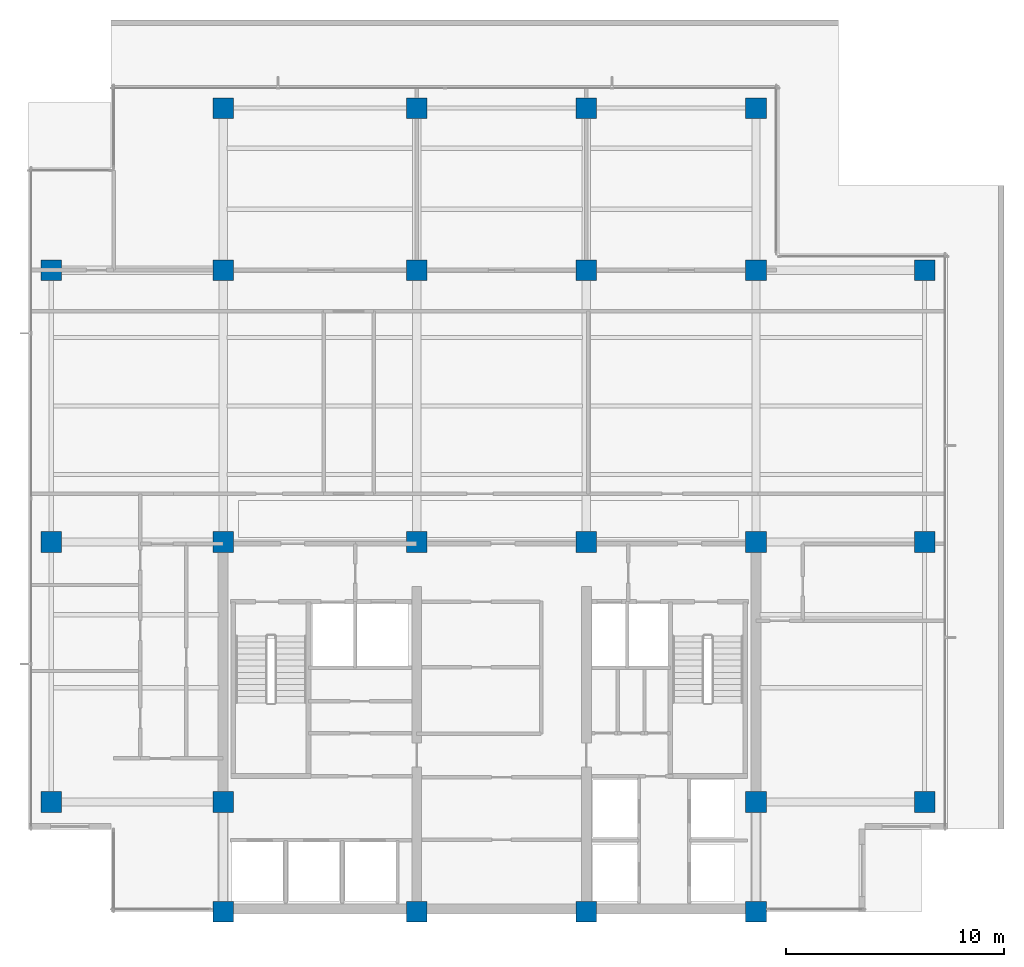
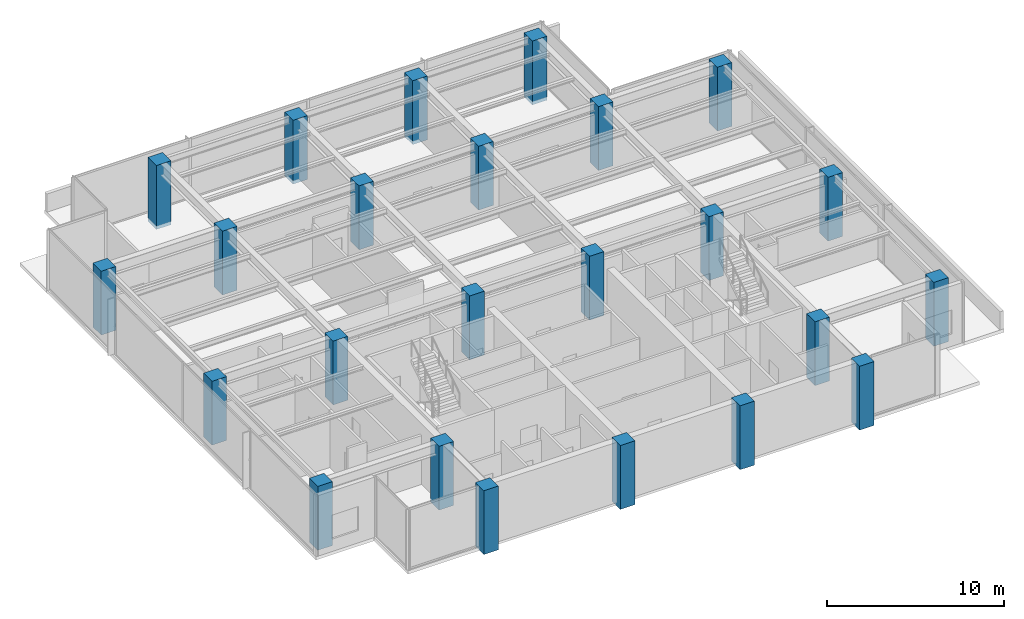
# One storey, part 1 of 14: 24 columns.
"""IFC4 building model written with IfcOpenShell, lengths in metres."""

from ifc_helpers import new_model, si_unit, direction, frame, origin, origin_2d, place, context, subcontext, project, spatial, rectangle, extrude, material, material_profile, profile_set, type_object, element, save


model = new_model("IFC4")

# Units and contexts
model_context = context("Model", 3, precision=1e-05, world=origin(), true_north=direction((0.0, 1.0)))
body_context = subcontext(model_context, "Body", "Model", "MODEL_VIEW")
ifc_project = project(units=[si_unit("LENGTHUNIT", "METRE"), si_unit("AREAUNIT", "SQUARE_METRE"), si_unit("VOLUMEUNIT", "CUBIC_METRE"), si_unit("PLANEANGLEUNIT", "RADIAN"), si_unit("MASSUNIT", "GRAM", prefix="KILO")], contexts=[model_context])

# Site, building, storey
site_placement = place(None, origin())
site = spatial("IfcSite", under=ifc_project, at=site_placement, CompositionType="ELEMENT")
building_placement = place(site_placement, origin())
building = spatial("IfcBuilding", under=site, at=building_placement, Name="Qalmaran Belvedere Hotel", CompositionType="ELEMENT")
storey_placement = place(building_placement, frame((0.0, 0.0, 192.5)))
storey = spatial("IfcBuildingStorey", under=building, at=storey_placement, Name="L48", CompositionType="ELEMENT", Elevation=192.5)

# Columns
ifc_material = material(Name="Concrete C50/60", Category="concrete")
ifc_material_profile = material_profile(ifc_material, rectangle(XDim=0.949951171875, YDim=0.949951171875, at=origin_2d()), Name="CC950X950")
ifc_profile_set = profile_set([ifc_material_profile], Name="Concrete C50/60")
column_type = type_object("IfcColumnType", Name="COL-Z4-CC950", PredefinedType="COLUMN", material=ifc_profile_set)
for number, where, z_axis, x_axis, name in (
    (1, (20.300048828125, 3.5, -0.239990234375), (0.0, 0.0, 1.0), (1.0, 0.0, 0.0), "L48 Column C4B"),
    (2, (29.199951171875, 3.5, -0.239990234375), (0.0, 0.0, 1.0), (1.0, 0.0, 0.0), "L48 Column C5B"),
    (3, (37.0, 3.5, -0.239990234375), (0.0, 0.0, 1.0), (1.0, 0.0, 0.0), "L48 Column C6B"),
    (4, (44.800048828125, 3.5, -0.239990234375), (0.0, 0.0, 1.0), (1.0, 0.0, 0.0), "L48 Column C7B"),
    (5, (20.300048828125, 8.550048828125, -0.239990234375), (0.0, 0.0, 1.0), (1.0, 0.0, 0.0), "L48 Column C4C"),
    (6, (44.800048828125, 8.550048828125, -0.239990234375), (0.0, 0.0, 1.0), (1.0, 0.0, 0.0), "L48 Column C7C"),
    (7, (20.300048828125, 20.5, -0.239990234375), (0.0, 0.0, 1.0), (1.0, 0.0, 0.0), "L48 Column C4D"),
    (8, (29.199951171875, 20.5, -0.239990234375), (0.0, 0.0, 1.0), (1.0, 0.0, 0.0), "L48 Column C5D"),
    (9, (37.0, 20.5, -0.239990234375), (0.0, 0.0, 1.0), (1.0, 0.0, 0.0), "L48 Column C6D"),
    (10, (44.800048828125, 20.5, -0.239990234375), (0.0, 0.0, 1.0), (1.0, 0.0, 0.0), "L48 Column C7D"),
    (11, (20.300048828125, 33.0, -0.239990234375), (0.0, 0.0, 1.0), (1.0, 0.0, 0.0), "L48 Column C4F"),
    (12, (29.199951171875, 33.0, -0.239990234375), (0.0, 0.0, 1.0), (1.0, 0.0, 0.0), "L48 Column C5F"),
    (13, (37.0, 33.0, -0.239990234375), (0.0, 0.0, 1.0), (1.0, 0.0, 0.0), "L48 Column C6F"),
    (14, (44.800048828125, 33.0, -0.239990234375), (0.0, 0.0, 1.0), (1.0, 0.0, 0.0), "L48 Column C7F"),
    (15, (12.39990234375, 8.550048828125, -0.239990234375), (0.0, 0.0, 1.0), (1.0, 0.0, 0.0), "L48 Column CW1"),
    (16, (12.39990234375, 20.5, -0.239990234375), (0.0, 0.0, 1.0), (1.0, 0.0, 0.0), "L48 Column CW3"),
    (17, (12.39990234375, 33.0, -0.239990234375), (0.0, 0.0, 1.0), (1.0, 0.0, 0.0), "L48 Column CW4"),
    (18, (52.550048828125, 8.550048828125, -0.239990234375), (0.0, 0.0, 1.0), (1.0, 0.0, 0.0), "L48 Column CE1"),
    (19, (52.550048828125, 20.5, -0.239990234375), (0.0, 0.0, 1.0), (1.0, 0.0, 0.0), "L48 Column CE3"),
    (20, (52.550048828125, 33.0, -0.239990234375), (0.0, 0.0, 1.0), (1.0, 0.0, 0.0), "L48 Column CE4"),
    (21, (20.300048828125, 40.449951171875, -0.239990234375), (0.0, 0.0, 1.0), (1.0, 0.0, 0.0), "L48 Column CN1"),
    (22, (29.199951171875, 40.449951171875, -0.239990234375), (0.0, 0.0, 1.0), (1.0, 0.0, 0.0), "L48 Column CN2"),
    (23, (37.0, 40.449951171875, -0.239990234375), (0.0, 0.0, 1.0), (1.0, 0.0, 0.0), "L48 Column CN3"),
    (24, (44.800048828125, 40.449951171875, -0.239990234375), (0.0, 0.0, 1.0), (1.0, 0.0, 0.0), "L48 Column CN4"),
):
    element("IfcColumn", number, at=place(storey_placement, frame(where, z_axis=z_axis, x_axis=x_axis)), inside=storey, type_object=column_type, Name=name, PredefinedType="COLUMN", context=body_context, shape_type="SweptSolid", body=[
        extrude(rectangle(XDim=0.949951171875, YDim=0.949951171875, at=origin_2d()), origin(), (0.0, 0.0, 1.0), 4.39990234375),
    ])

save(model, "model.ifc")
